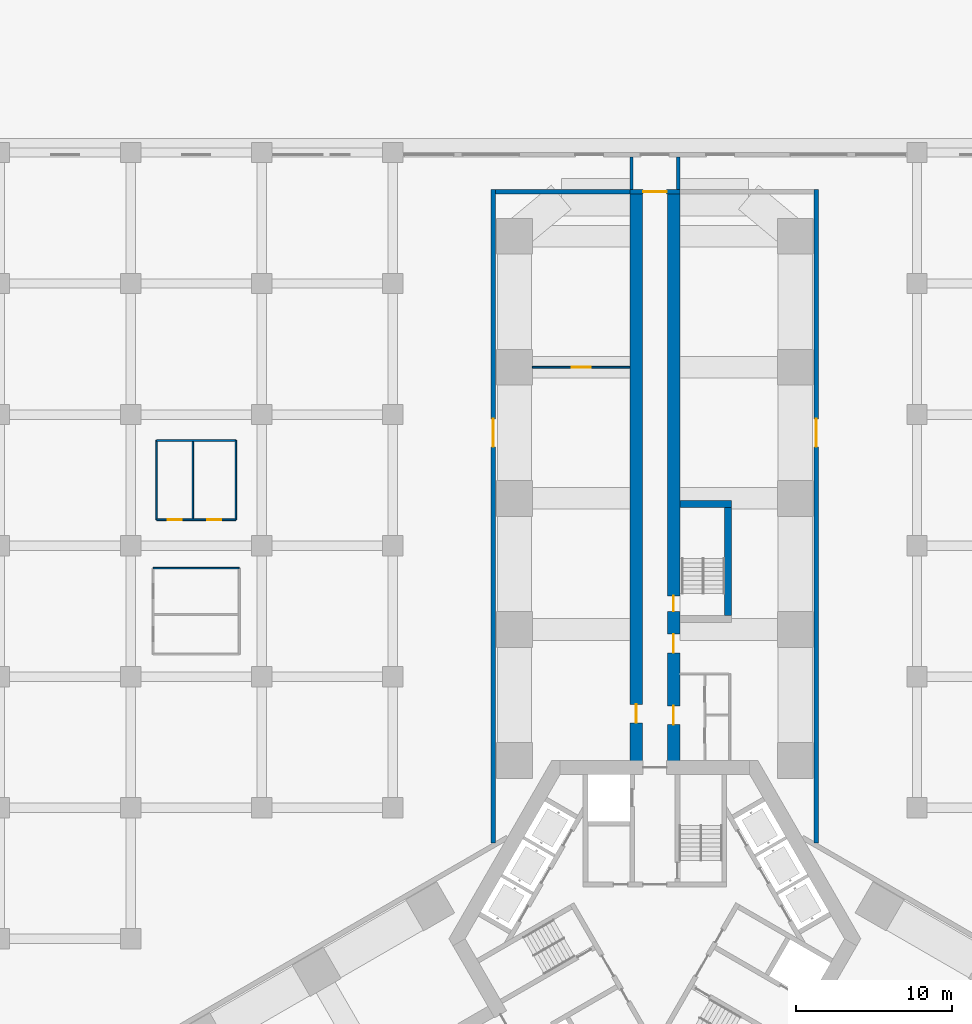
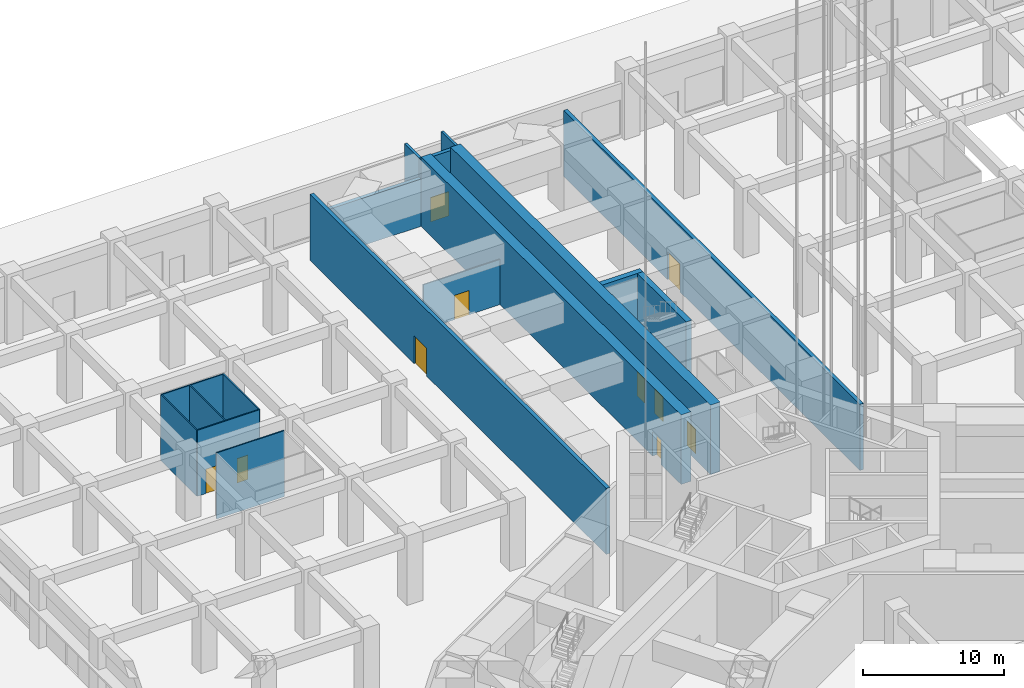
# One storey, part 13 of 33: 17 walls, 10 doors, 10 openings.
"""IFC4 building model written with IfcOpenShell, lengths in metres."""

from ifc_helpers import new_model, si_unit, direction, frame, frame_2d, origin, place, context, subcontext, project, spatial, rectangle, extrude, material, layer, layer_set, type_object, element, fill, save


model = new_model("IFC4")

# Units and contexts
model_context = context("Model", 3, precision=1e-05, world=origin(), true_north=direction((0.0, 1.0)))
body_context = subcontext(model_context, "Body", "Model", "MODEL_VIEW")
ifc_project = project(units=[si_unit("LENGTHUNIT", "METRE"), si_unit("AREAUNIT", "SQUARE_METRE"), si_unit("VOLUMEUNIT", "CUBIC_METRE"), si_unit("PLANEANGLEUNIT", "RADIAN"), si_unit("MASSUNIT", "GRAM", prefix="KILO")], contexts=[model_context])

# Site, building, storey
site_placement = place(None, origin())
site = spatial("IfcSite", under=ifc_project, at=site_placement, CompositionType="ELEMENT")
building_placement = place(site_placement, origin())
building = spatial("IfcBuilding", under=site, at=building_placement, Name="Impinga Residences", CompositionType="ELEMENT")
storey_placement = place(building_placement, origin())
storey = spatial("IfcBuildingStorey", under=building, at=storey_placement, Name="L00", CompositionType="ELEMENT", Elevation=0.0)

# Wall, opening, door
ifc_material_1 = material(Name="Concrete C70/85", Category="concrete")
ifc_layer_1 = layer(ifc_material_1, 0.800048828125)
ifc_layer_set_1 = layer_set([ifc_layer_1], Name="Concrete C70/85")
wall_type_1 = type_object("IfcWallType", Name="BW0 corridor buttress wall, B3 to L04 800", PredefinedType="SHEAR", material=ifc_layer_set_1)
wall_1_placement = place(storey_placement, frame((-1.199951171875, 10.9814453125, 0.0), z_axis=(0.0, 0.0, 1.0), x_axis=(0.0, 1.0, 0.0)))
wall_1 = element("IfcWall", 1, at=wall_1_placement, inside=storey, type_object=wall_type_1, Name="Corridor wall BW0 NC L00", PredefinedType="SHEAR", context=body_context, shape_type="SweptSolid", body=[
    extrude(rectangle(XDim=36.75, YDim=0.800048828125, at=frame_2d((18.375, 0.0))), origin(), (0.0, 0.0, 1.0), 6.0),
])
opening_1_placement = place(wall_1_placement, frame((2.85009765625, 0.0, 0.0)))
opening_1 = element("IfcOpeningElement", 2, at=opening_1_placement, cuts=wall_1, Name="Opening D3", PredefinedType="OPENING", context=body_context, shape_type="SweptSolid", body=[
    extrude(rectangle(XDim=1.199951171875, YDim=2.10009765625, at=frame_2d((0.60009765625, 1.050048828125))), frame((0.0, 0.409912109375, 0.0), z_axis=(0.0, -1.0, 0.0), x_axis=(1.0, 0.0, 0.0)), (0.0, 0.0, 1.0), 0.820068359375),
])
ifc_material_2 = material(Name="Timber door set", Category="wood")
door_type_1 = type_object("IfcDoorType", Name="D3 room door, leaf and a half 1200x2100", OperationType="DOUBLE_SWING_LEFT", PredefinedType="DOOR", material=ifc_material_2)
door_1_placement = place(opening_1_placement, origin())
door_1 = element("IfcDoor", 3, at=door_1_placement, inside=storey, type_object=door_type_1, Name="Concierge office door L00-NA1", OperationType="DOUBLE_SWING_LEFT", OverallHeight=2.10009765625, OverallWidth=1.199951171875, PredefinedType="DOOR", context=body_context, shape_type="SweptSolid", body=[
    extrude(rectangle(XDim=1.199951171875, YDim=2.10009765625, at=frame_2d((0.60009765625, 1.050048828125))), frame((0.0, 0.02490234375, 0.0), z_axis=(0.0, -1.0, 0.0), x_axis=(1.0, 0.0, 0.0)), (0.0, 0.0, 1.0), 0.050048828125),
])
fill(opening_1, door_1)

# Wall, openings, doors
wall_2_placement = place(storey_placement, frame((1.199951171875, 10.9814453125, 0.0), z_axis=(0.0, 0.0, 1.0), x_axis=(0.0, 1.0, 0.0)))
wall_2 = element("IfcWall", 4, at=wall_2_placement, inside=storey, type_object=wall_type_1, Name="Corridor wall BW0 ND L00", PredefinedType="SHEAR", context=body_context, shape_type="SweptSolid", body=[
    extrude(rectangle(XDim=36.75, YDim=0.800048828125, at=frame_2d((18.375, 0.0))), origin(), (0.0, 0.0, 1.0), 6.0),
])
opening_2_placement = place(wall_2_placement, frame((10.0, 0.0, 0.0)))
opening_2 = element("IfcOpeningElement", 5, at=opening_2_placement, cuts=wall_2, Name="Opening D5", PredefinedType="OPENING", context=body_context, shape_type="SweptSolid", body=[
    extrude(rectangle(XDim=1.0, YDim=2.10009765625, at=frame_2d((0.5, 1.050048828125))), frame((0.0, 0.409912109375, 0.0), z_axis=(0.0, -1.0, 0.0), x_axis=(1.0, 0.0, 0.0)), (0.0, 0.0, 1.0), 0.820068359375),
])
opening_3_placement = place(wall_2_placement, frame((2.75, 0.0, 0.0)))
opening_3 = element("IfcOpeningElement", 6, at=opening_3_placement, cuts=wall_2, Name="Opening D3", PredefinedType="OPENING", context=body_context, shape_type="SweptSolid", body=[
    extrude(rectangle(XDim=1.199951171875, YDim=2.10009765625, at=frame_2d((0.60009765625, 1.050048828125))), frame((0.0, 0.409912109375, 0.0), z_axis=(0.0, -1.0, 0.0), x_axis=(1.0, 0.0, 0.0)), (0.0, 0.0, 1.0), 0.820068359375),
])
opening_4_placement = place(wall_2_placement, frame((7.35009765625, 0.0, 0.0)))
opening_4 = element("IfcOpeningElement", 7, at=opening_4_placement, cuts=wall_2, Name="Opening D3", PredefinedType="OPENING", context=body_context, shape_type="SweptSolid", body=[
    extrude(rectangle(XDim=1.199951171875, YDim=2.10009765625, at=frame_2d((0.60009765625, 1.050048828125))), frame((0.0, 0.409912109375, 0.0), z_axis=(0.0, -1.0, 0.0), x_axis=(1.0, 0.0, 0.0)), (0.0, 0.0, 1.0), 0.820068359375),
])
door_2_placement = place(opening_3_placement, origin())
door_2 = element("IfcDoor", 8, at=door_2_placement, inside=storey, type_object=door_type_1, Name="WC lobby door L00-NF1", OperationType="DOUBLE_SWING_LEFT", OverallHeight=2.10009765625, OverallWidth=1.199951171875, PredefinedType="DOOR", context=body_context, shape_type="SweptSolid", body=[
    extrude(rectangle(XDim=1.199951171875, YDim=2.10009765625, at=frame_2d((0.60009765625, 1.050048828125))), frame((0.0, 0.02490234375, 0.0), z_axis=(0.0, -1.0, 0.0), x_axis=(1.0, 0.0, 0.0)), (0.0, 0.0, 1.0), 0.050048828125),
])
fill(opening_3, door_2)
door_3_placement = place(opening_4_placement, origin())
door_3 = element("IfcDoor", 9, at=door_3_placement, inside=storey, type_object=door_type_1, Name="Residents' parcel room door L00-NF1", OperationType="DOUBLE_SWING_LEFT", OverallHeight=2.10009765625, OverallWidth=1.199951171875, PredefinedType="DOOR", context=body_context, shape_type="SweptSolid", body=[
    extrude(rectangle(XDim=1.199951171875, YDim=2.10009765625, at=frame_2d((0.60009765625, 1.050048828125))), frame((0.0, 0.02490234375, 0.0), z_axis=(0.0, -1.0, 0.0), x_axis=(1.0, 0.0, 0.0)), (0.0, 0.0, 1.0), 0.050048828125),
])
fill(opening_4, door_3)
door_type_2 = type_object("IfcDoorType", Name="D5 stair door 1000x2100", OperationType="SINGLE_SWING_LEFT", PredefinedType="DOOR", material=ifc_material_2)
door_4_placement = place(opening_2_placement, origin())
door_4 = element("IfcDoor", 10, at=door_4_placement, inside=storey, type_object=door_type_2, Name="Wing stair door N", OperationType="SINGLE_SWING_LEFT", OverallHeight=2.10009765625, OverallWidth=1.0, PredefinedType="DOOR", context=body_context, shape_type="SweptSolid", body=[
    extrude(rectangle(XDim=1.0, YDim=2.10009765625, at=frame_2d((0.5, 1.050048828125))), frame((0.0, 0.02490234375, 0.0), z_axis=(0.0, -1.0, 0.0), x_axis=(1.0, 0.0, 0.0)), (0.0, 0.0, 1.0), 0.050048828125),
])
fill(opening_2, door_4)

# Wall, opening, door
ifc_material_3 = material(Name="Concrete blockwork", Category="masonry")
ifc_layer_2 = layer(ifc_material_3, 0.10009765625)
ifc_layer_set_2 = layer_set([ifc_layer_2], Name="CP1 core room partition, blockwork 100")
wall_type_2 = type_object("IfcWallType", Name="CP1 core room partition, blockwork 100", PredefinedType="PARTITIONING", material=ifc_layer_set_2)
wall_3_placement = place(storey_placement, frame((-1.60009765625, 36.631591796875, 0.0), z_axis=(0.0, 0.0, 1.0), x_axis=(-1.0, 0.0, 0.0)))
wall_3 = element("IfcWall", 11, at=wall_3_placement, inside=storey, type_object=wall_type_2, Name="Core room partition, blockwork L00-NA1:PS1", PredefinedType="PARTITIONING", context=body_context, shape_type="SweptSolid", body=[
    extrude(rectangle(XDim=6.25, YDim=0.10009765625, at=frame_2d((3.125, 0.0))), origin(), (0.0, 0.0, 1.0), 3.89990234375),
])
opening_5_placement = place(wall_3_placement, frame((2.52490234375, 0.0, 0.0)))
opening_5 = element("IfcOpeningElement", 12, at=opening_5_placement, cuts=wall_3, Name="Opening D3", PredefinedType="OPENING", context=body_context, shape_type="SweptSolid", body=[
    extrude(rectangle(XDim=1.199951171875, YDim=2.10009765625, at=frame_2d((0.60009765625, 1.050048828125))), frame((0.0, 0.06005859375, 0.0), z_axis=(0.0, -1.0, 0.0), x_axis=(1.0, 0.0, 0.0)), (0.0, 0.0, 1.0), 0.1201171875),
])
door_5_placement = place(opening_5_placement, origin())
door_5 = element("IfcDoor", 13, at=door_5_placement, inside=storey, type_object=door_type_1, Name="Mail room door L00-NA1", OperationType="DOUBLE_SWING_LEFT", OverallHeight=2.10009765625, OverallWidth=1.199951171875, PredefinedType="DOOR", context=body_context, shape_type="SweptSolid", body=[
    extrude(rectangle(XDim=1.199951171875, YDim=2.10009765625, at=frame_2d((0.60009765625, 1.050048828125))), frame((0.0, 0.02490234375, 0.0), z_axis=(0.0, -1.0, 0.0), x_axis=(1.0, 0.0, 0.0)), (0.0, 0.0, 1.0), 0.050048828125),
])
fill(opening_5, door_5)

# Wall
ifc_material_4 = material(Name="Gypsum board on steel studs", Category="steel")
ifc_layer_3 = layer(ifc_material_4, 0.10009765625)
ifc_layer_set_3 = layer_set([ifc_layer_3], Name="Gypsum board on steel studs")
wall_type_3 = type_object("IfcWallType", Name="IP1 partition 100", PredefinedType="PARTITIONING", material=ifc_layer_set_3)
wall_4_placement = place(storey_placement, frame((-26.639892578125, 23.760009765625, 0.0), z_axis=(0.0, 0.0, 1.0), x_axis=(-1.0, 0.0, 0.0)))
element("IfcWall", 14, at=wall_4_placement, inside=storey, type_object=wall_type_3, Name="Partition L00:REG:NW:BLKN", PredefinedType="PARTITIONING", context=body_context, shape_type="SweptSolid", body=[
    extrude(rectangle(XDim=5.52001953125, YDim=0.10009765625, at=frame_2d((2.760009765625, 0.0))), origin(), (0.0, 0.0, 1.0), 5.699951171875),
])

# Wall, openings, doors
wall_5_placement = place(storey_placement, frame((-31.93994140625, 26.860107421875, 0.0), z_axis=(0.0, 0.0, 1.0), x_axis=(1.0, 0.0, 0.0)))
wall_5 = element("IfcWall", 15, at=wall_5_placement, inside=storey, type_object=wall_type_3, Name="Partition L00:REG:NW:B2:BLKS", PredefinedType="PARTITIONING", context=body_context, shape_type="SweptSolid", body=[
    extrude(rectangle(XDim=5.079833984375, YDim=0.10009765625, at=frame_2d((2.5400390625, 0.0))), origin(), (0.0, 0.0, 1.0), 5.699951171875),
])
opening_6_placement = place(wall_5_placement, frame((0.715087890625, 0.0, 0.0)))
opening_6 = element("IfcOpeningElement", 16, at=opening_6_placement, cuts=wall_5, Name="Opening D2", PredefinedType="OPENING", context=body_context, shape_type="SweptSolid", body=[
    extrude(rectangle(XDim=0.89990234375, YDim=2.10009765625, at=frame_2d((0.449951171875, 1.050048828125))), frame((0.0, 0.06005859375, 0.0), z_axis=(0.0, -1.0, 0.0), x_axis=(1.0, 0.0, 0.0)), (0.0, 0.0, 1.0), 0.1201171875),
])
opening_7_placement = place(wall_5_placement, frame((3.255126953125, 0.0, 0.0)))
opening_7 = element("IfcOpeningElement", 17, at=opening_7_placement, cuts=wall_5, Name="Opening D2", PredefinedType="OPENING", context=body_context, shape_type="SweptSolid", body=[
    extrude(rectangle(XDim=0.89990234375, YDim=2.10009765625, at=frame_2d((0.449951171875, 1.050048828125))), frame((0.0, 0.06005859375, 0.0), z_axis=(0.0, -1.0, 0.0), x_axis=(1.0, 0.0, 0.0)), (0.0, 0.0, 1.0), 0.1201171875),
])
door_type_3 = type_object("IfcDoorType", Name="D2 internal door 900x2100", OperationType="SINGLE_SWING_LEFT", PredefinedType="DOOR", material=ifc_material_2)
door_6_placement = place(opening_6_placement, origin())
door_6 = element("IfcDoor", 18, at=door_6_placement, inside=storey, type_object=door_type_3, Name="Goods-in room door", OperationType="SINGLE_SWING_LEFT", OverallHeight=2.10009765625, OverallWidth=0.89990234375, PredefinedType="DOOR", context=body_context, shape_type="SweptSolid", body=[
    extrude(rectangle(XDim=0.89990234375, YDim=2.10009765625, at=frame_2d((0.449951171875, 1.050048828125))), frame((0.0, 0.02490234375, 0.0), z_axis=(0.0, -1.0, 0.0), x_axis=(1.0, 0.0, 0.0)), (0.0, 0.0, 1.0), 0.050048828125),
])
fill(opening_6, door_6)
door_7_placement = place(opening_7_placement, origin())
door_7 = element("IfcDoor", 19, at=door_7_placement, inside=storey, type_object=door_type_3, Name="Retail office door", OperationType="SINGLE_SWING_RIGHT", OverallHeight=2.10009765625, OverallWidth=0.89990234375, PredefinedType="DOOR", context=body_context, shape_type="SweptSolid", body=[
    extrude(rectangle(XDim=0.89990234375, YDim=2.10009765625, at=frame_2d((0.449951171875, 1.050048828125))), frame((0.0, 0.02490234375, 0.0), z_axis=(0.0, -1.0, 0.0), x_axis=(1.0, 0.0, 0.0)), (0.0, 0.0, 1.0), 0.050048828125),
])
fill(opening_7, door_7)

# Walls
for number, where, z_axis, x_axis, name in (
    (20, (-26.860107421875, 26.860107421875, 0.0), (0.0, 0.0, 1.0), (0.0, 1.0, 0.0), "Partition L00:REG:NW:B2:BLKE"),
    (21, (-26.860107421875, 31.93994140625, 0.0), (0.0, 0.0, 1.0), (-1.0, 0.0, 0.0), "Partition L00:REG:NW:B2:BLKN"),
    (22, (-31.93994140625, 31.93994140625, 0.0), (0.0, 0.0, 1.0), (0.0, -1.0, 0.0), "Partition L00:REG:NW:B2:BLKW"),
    (23, (-29.609619140625, 26.860107421875, 0.0), (0.0, 0.0, 1.0), (0.0, 1.0, 0.0), "Partition L00:REG:NW:B2:BLKP1"),
):
    element("IfcWall", number, at=place(storey_placement, frame(where, z_axis=z_axis, x_axis=x_axis)), inside=storey, type_object=wall_type_3, Name=name, PredefinedType="PARTITIONING", context=body_context, shape_type="SweptSolid", body=[
        extrude(rectangle(XDim=5.079833984375, YDim=0.10009765625, at=frame_2d((2.5400390625, 0.0))), origin(), (0.0, 0.0, 1.0), 5.699951171875),
    ])
ifc_layer_4 = layer(ifc_material_3, 0.199951171875)
ifc_layer_set_4 = layer_set([ifc_layer_4], Name="PW2 podium compartment wall 200")
wall_type_4 = type_object("IfcWallType", Name="PW2 podium compartment wall 200", PredefinedType="SOLIDWALL", material=ifc_layer_set_4)
for number, where, z_axis, x_axis, name in (
    (24, (-1.5, 48.031494140625, 0.0), (0.0, 0.0, 1.0), (0.0, 1.0, 0.0), "Podium compartment wall L00:EXP:NA"),
    (25, (1.5, 48.031494140625, 0.0), (0.0, 0.0, 1.0), (0.0, 1.0, 0.0), "Podium compartment wall L00:EXP:NF"),
):
    element("IfcWall", number, at=place(storey_placement, frame(where, z_axis=z_axis, x_axis=x_axis)), inside=storey, type_object=wall_type_4, Name=name, PredefinedType="SOLIDWALL", context=body_context, shape_type="SweptSolid", body=[
        extrude(rectangle(XDim=2.068603515625, YDim=0.199951171875, at=frame_2d((1.0341796875, 0.0))), origin(), (0.0, 0.0, 1.0), 5.699951171875),
    ])

# Wall, opening, door
ifc_layer_5 = layer(ifc_material_3, 0.300048828125)
ifc_layer_set_5 = layer_set([ifc_layer_5], Name="PW3 podium wall on the wing face 300")
wall_type_5 = type_object("IfcWallType", Name="PW3 podium wall on the wing face 300", PredefinedType="SOLIDWALL", material=ifc_layer_set_5)
wall_6_placement = place(storey_placement, frame((1.60009765625, 47.881591796875, 0.0), z_axis=(0.0, 0.0, 1.0), x_axis=(-1.0, 0.0, 0.0)))
wall_6 = element("IfcWall", 26, at=wall_6_placement, inside=storey, type_object=wall_type_5, Name="Podium wall on the wing face L00:N:EXPC", PredefinedType="SOLIDWALL", context=body_context, shape_type="SweptSolid", body=[
    extrude(rectangle(XDim=3.2001953125, YDim=0.300048828125, at=frame_2d((1.60009765625, 0.0))), origin(), (0.0, 0.0, 1.0), 5.699951171875),
])
opening_8_placement = place(wall_6_placement, frame((0.85009765625, 0.0, 0.0)))
opening_8 = element("IfcOpeningElement", 27, at=opening_8_placement, cuts=wall_6, Name="Opening D4", PredefinedType="OPENING", context=body_context, shape_type="SweptSolid", body=[
    extrude(rectangle(XDim=1.5, YDim=2.10009765625, at=frame_2d((0.75, 1.050048828125))), frame((0.0, 0.159912109375, 0.0), z_axis=(0.0, -1.0, 0.0), x_axis=(1.0, 0.0, 0.0)), (0.0, 0.0, 1.0), 0.320068359375),
])
door_type_4 = type_object("IfcDoorType", Name="D4 lobby door pair 1500x2100", OperationType="DOUBLE_DOOR_DOUBLE_SWING", PredefinedType="DOOR", material=ifc_material_2)
door_8_placement = place(opening_8_placement, origin())
door_8 = element("IfcDoor", 28, at=door_8_placement, inside=storey, type_object=door_type_4, Name="Exit passage door N", OperationType="DOUBLE_DOOR_DOUBLE_SWING", OverallHeight=2.10009765625, OverallWidth=1.5, PredefinedType="DOOR", context=body_context, shape_type="SweptSolid", body=[
    extrude(rectangle(XDim=1.5, YDim=2.10009765625, at=frame_2d((0.75, 1.050048828125))), frame((0.0, 0.02490234375, 0.0), z_axis=(0.0, -1.0, 0.0), x_axis=(1.0, 0.0, 0.0)), (0.0, 0.0, 1.0), 0.050048828125),
])
fill(opening_8, door_8)

# Wall
wall_7_placement = place(storey_placement, frame((-1.60009765625, 47.881591796875, 0.0), z_axis=(0.0, 0.0, 1.0), x_axis=(-1.0, 0.0, 0.0)))
element("IfcWall", 29, at=wall_7_placement, inside=storey, type_object=wall_type_5, Name="Podium wall on the wing face L00:END:NA", PredefinedType="SOLIDWALL", context=body_context, shape_type="SweptSolid", body=[
    extrude(rectangle(XDim=8.599853515625, YDim=0.300048828125, at=frame_2d((4.2998046875, 0.0))), origin(), (0.0, 0.0, 1.0), 4.10009765625),
])

# Wall, opening, door
wall_8_placement = place(storey_placement, frame((-10.35009765625, 6.148681640625, 0.0), z_axis=(0.0, 0.0, 1.0), x_axis=(0.0, 1.0, 0.0)))
wall_8 = element("IfcWall", 30, at=wall_8_placement, inside=storey, type_object=wall_type_5, Name="Podium wall on the wing face L00:SIDE:NA0", PredefinedType="SOLIDWALL", context=body_context, shape_type="SweptSolid", body=[
    extrude(rectangle(XDim=41.8828125, YDim=0.300048828125, at=frame_2d((20.94140625, 0.0))), origin(), (0.0, 0.0, 1.0), 5.699951171875),
])
opening_9_placement = place(wall_8_placement, frame((25.3828125, 0.0, 0.0)))
opening_9 = element("IfcOpeningElement", 31, at=opening_9_placement, cuts=wall_8, Name="Opening D7", PredefinedType="OPENING", context=body_context, shape_type="SweptSolid", body=[
    extrude(rectangle(XDim=1.800048828125, YDim=2.39990234375, at=frame_2d((0.89990234375, 1.199951171875))), frame((0.0, 0.159912109375, 0.0), z_axis=(0.0, -1.0, 0.0), x_axis=(1.0, 0.0, 0.0)), (0.0, 0.0, 1.0), 0.320068359375),
])
door_type_5 = type_object("IfcDoorType", Name="D7 podium door pair 1800x2400", OperationType="DOUBLE_DOOR_DOUBLE_SWING", PredefinedType="DOOR", material=ifc_material_2)
door_9_placement = place(opening_9_placement, origin())
door_9 = element("IfcDoor", 32, at=door_9_placement, inside=storey, type_object=door_type_5, Name="Double door NA", OperationType="DOUBLE_DOOR_DOUBLE_SWING", OverallHeight=2.39990234375, OverallWidth=1.800048828125, PredefinedType="DOOR", context=body_context, shape_type="SweptSolid", body=[
    extrude(rectangle(XDim=1.800048828125, YDim=2.39990234375, at=frame_2d((0.89990234375, 1.199951171875))), frame((0.0, 0.02490234375, 0.0), z_axis=(0.0, -1.0, 0.0), x_axis=(1.0, 0.0, 0.0)), (0.0, 0.0, 1.0), 0.050048828125),
])
fill(opening_9, door_9)

wall_9_placement = place(storey_placement, frame((10.35009765625, 6.148681640625, 0.0), z_axis=(0.0, 0.0, 1.0), x_axis=(0.0, 1.0, 0.0)))
wall_9 = element("IfcWall", 33, at=wall_9_placement, inside=storey, type_object=wall_type_5, Name="Podium wall on the wing face L00:SIDE:NF0", PredefinedType="SOLIDWALL", context=body_context, shape_type="SweptSolid", body=[
    extrude(rectangle(XDim=41.8828125, YDim=0.300048828125, at=frame_2d((20.94140625, 0.0))), origin(), (0.0, 0.0, 1.0), 5.699951171875),
])
opening_10_placement = place(wall_9_placement, frame((25.3828125, 0.0, 0.0)))
opening_10 = element("IfcOpeningElement", 34, at=opening_10_placement, cuts=wall_9, Name="Opening D7", PredefinedType="OPENING", context=body_context, shape_type="SweptSolid", body=[
    extrude(rectangle(XDim=1.800048828125, YDim=2.39990234375, at=frame_2d((0.89990234375, 1.199951171875))), frame((0.0, 0.159912109375, 0.0), z_axis=(0.0, -1.0, 0.0), x_axis=(1.0, 0.0, 0.0)), (0.0, 0.0, 1.0), 0.320068359375),
])
door_10_placement = place(opening_10_placement, origin())
door_10 = element("IfcDoor", 35, at=door_10_placement, inside=storey, type_object=door_type_5, Name="Double door NF", OperationType="DOUBLE_DOOR_DOUBLE_SWING", OverallHeight=2.39990234375, OverallWidth=1.800048828125, PredefinedType="DOOR", context=body_context, shape_type="SweptSolid", body=[
    extrude(rectangle(XDim=1.800048828125, YDim=2.39990234375, at=frame_2d((0.89990234375, 1.199951171875))), frame((0.0, 0.02490234375, 0.0), z_axis=(0.0, -1.0, 0.0), x_axis=(1.0, 0.0, 0.0)), (0.0, 0.0, 1.0), 0.050048828125),
])
fill(opening_10, door_10)

# Walls
ifc_material_5 = material(Name="Concrete C60/75", Category="concrete")
ifc_layer_6 = layer(ifc_material_5, 0.449951171875)
ifc_layer_set_6 = layer_set([ifc_layer_6], Name="Concrete C60/75")
wall_type_6 = type_object("IfcWallType", Name="SE2 wing stair enclosure wall, ground and podium storeys 450", PredefinedType="SOLIDWALL", material=ifc_layer_set_6)
wall_10_placement = place(storey_placement, frame((1.60009765625, 27.8564453125, 0.0), z_axis=(0.0, 0.0, 1.0), x_axis=(1.0, 0.0, 0.0)))
element("IfcWall", 36, at=wall_10_placement, inside=storey, type_object=wall_type_6, Name="Stair enclosure wall SE2 N END1 L00", PredefinedType="SOLIDWALL", context=body_context, shape_type="SweptSolid", body=[
    extrude(rectangle(XDim=3.2998046875, YDim=0.449951171875, at=frame_2d((1.64990234375, 0.0))), origin(), (0.0, 0.0, 1.0), 6.0),
])
wall_11_placement = place(storey_placement, frame((4.675048828125, 20.7314453125, 0.0), z_axis=(0.0, 0.0, 1.0), x_axis=(0.0, 1.0, 0.0)))
element("IfcWall", 37, at=wall_11_placement, inside=storey, type_object=wall_type_6, Name="Stair enclosure wall SE2 N OUT L00", PredefinedType="SOLIDWALL", context=body_context, shape_type="SweptSolid", body=[
    extrude(rectangle(XDim=6.900146484375, YDim=0.449951171875, at=frame_2d((3.4501953125, 0.0))), origin(), (0.0, 0.0, 1.0), 6.0),
])

save(model, "model.ifc")
